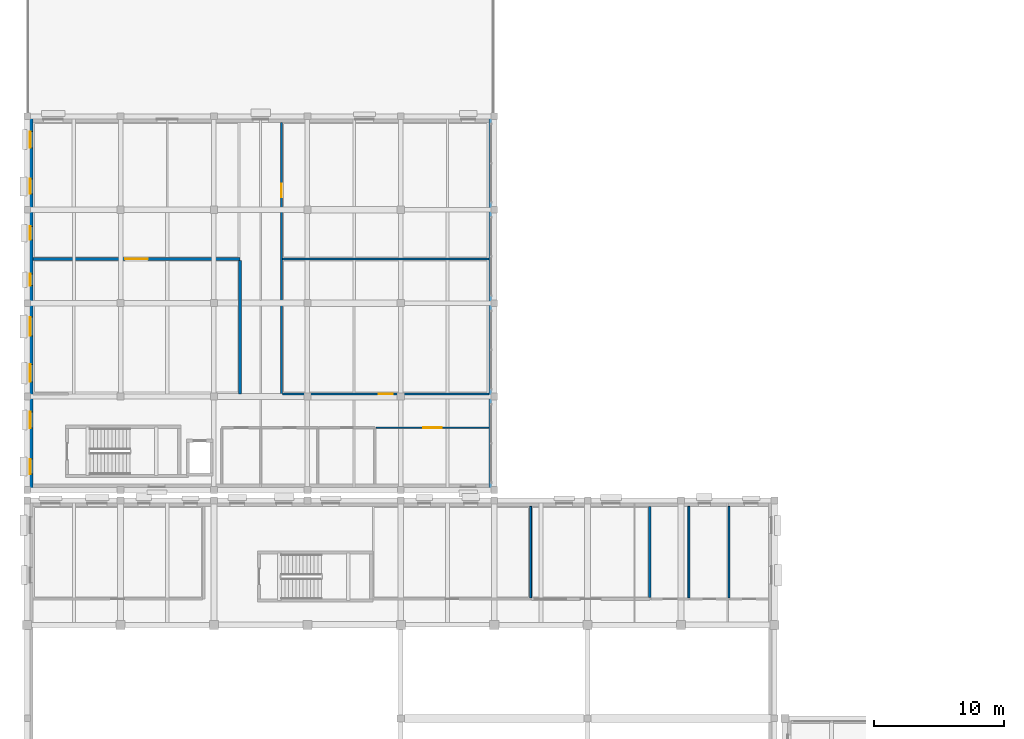
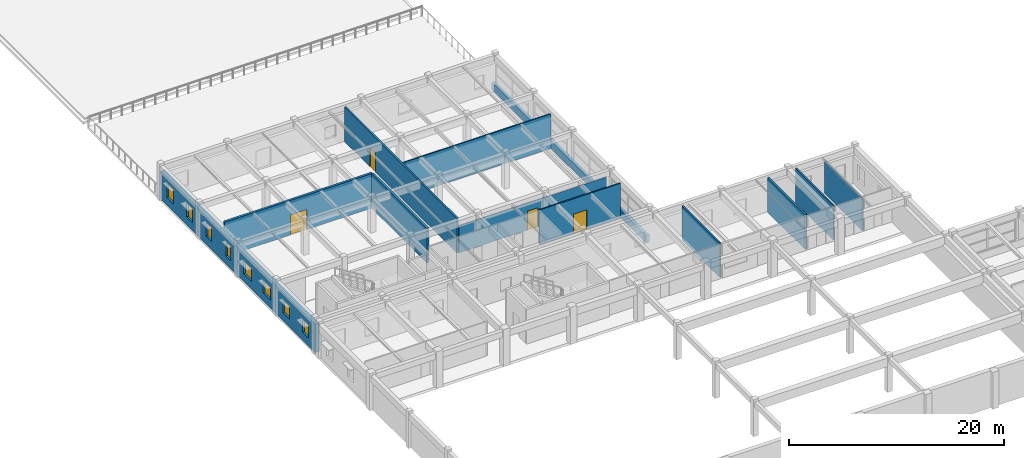
# One storey, part 46 of 67: 12 walls, 8 windows, 4 doors, 12 openings.
"""IFC4 building model written with IfcOpenShell, lengths in metres."""

from ifc_helpers import new_model, si_unit, direction, frame, frame_2d, origin, place, context, subcontext, project, spatial, rectangle, extrude, material, layer, layer_set, type_object, element, fill, save


model = new_model("IFC4")

# Units and contexts
model_context = context("Model", 3, precision=1e-05, world=origin(), true_north=direction((0.0, 1.0)))
body_context = subcontext(model_context, "Body", "Model", "MODEL_VIEW")
ifc_project = project(units=[si_unit("LENGTHUNIT", "METRE"), si_unit("AREAUNIT", "SQUARE_METRE"), si_unit("VOLUMEUNIT", "CUBIC_METRE"), si_unit("PLANEANGLEUNIT", "RADIAN"), si_unit("MASSUNIT", "GRAM", prefix="KILO")], contexts=[model_context])

# Site, building, storey
site_placement = place(None, origin())
site = spatial("IfcSite", under=ifc_project, at=site_placement, CompositionType="ELEMENT")
building_placement = place(site_placement, origin())
building = spatial("IfcBuilding", under=site, at=building_placement, Name="Bramveld Media Centre", CompositionType="ELEMENT")
storey_placement = place(building_placement, frame((0.0, 0.0, 5.39990234375)))
storey = spatial("IfcBuildingStorey", under=building, at=storey_placement, Name="L01", CompositionType="ELEMENT", Elevation=5.39990234375)

# Wall
ifc_material_1 = material(Name="Perforated acoustic brick-faced insulated spandrel wall", Category="masonry")
ifc_layer_1 = layer(ifc_material_1, 0.35009765625)
ifc_layer_set_1 = layer_set([ifc_layer_1], Name="Perforated acoustic brick-faced insulated spandrel wall")
wall_type_1 = type_object("IfcWallType", Name="EW-BRK-350", PredefinedType="SOLIDWALL", material=ifc_layer_set_1)
wall_1_placement = place(storey_placement, frame((35.77001953125, 68.0, 0.0), z_axis=(0.0, 0.0, 1.0), x_axis=(0.0, -1.0, 0.0)))
element("IfcWall", 1, at=wall_1_placement, inside=storey, type_object=wall_type_1, Name="V3 L01 E masonry spandrel sill wall", PredefinedType="SOLIDWALL", context=body_context, shape_type="SweptSolid", body=[
    extrude(rectangle(XDim=28.800048828125, YDim=0.35009765625, at=frame_2d((14.39990234375, 0.0))), origin(), (0.0, 0.0, 1.0), 0.85009765625),
])

# Wall, openings, windows
ifc_material_2 = material(Name="Flemish red-brown clay facing brick cavity wall with concrete C35/45 inner leaf", Category="masonry")
ifc_layer_2 = layer(ifc_material_2, 0.4599609375)
ifc_layer_set_2 = layer_set([ifc_layer_2], Name="Flemish red-brown clay facing brick cavity wall with concrete C35/45 inner leaf")
wall_type_2 = type_object("IfcWallType", Name="EW-BRK-460", PredefinedType="SOLIDWALL", material=ifc_layer_set_2)
wall_2_placement = place(storey_placement, frame((0.22998046875, 39.199951171875, 0.0), z_axis=(0.0, 0.0, 1.0), x_axis=(0.0, 1.0, 0.0)))
wall_2 = element("IfcWall", 2, at=wall_2_placement, inside=storey, type_object=wall_type_2, Name="V3 L01 W facing brick exterior wall", PredefinedType="SOLIDWALL", context=body_context, shape_type="SweptSolid", body=[
    extrude(rectangle(XDim=28.800048828125, YDim=0.4599609375, at=frame_2d((14.39990234375, 0.0))), origin(), (0.0, 0.0, 1.0), 3.195068359375),
])
opening_1_placement = place(wall_2_placement, frame((1.22509765625, 0.0, 0.89990234375)))
opening_1 = element("IfcOpeningElement", 3, at=opening_1_placement, cuts=wall_2, Name="Opening W-09", PredefinedType="OPENING", context=body_context, shape_type="SweptSolid", body=[
    extrude(rectangle(XDim=1.14990234375, YDim=1.449951171875, at=frame_2d((0.574951171875, 0.72509765625))), frame((0.0, 0.241943359375, 0.0), z_axis=(0.0, -1.0, 0.0), x_axis=(1.0, 0.0, 0.0)), (0.0, 0.0, 1.0), 0.48388671875),
])
opening_2_placement = place(wall_2_placement, frame((4.77490234375, 0.0, 0.89990234375)))
opening_2 = element("IfcOpeningElement", 4, at=opening_2_placement, cuts=wall_2, Name="Opening W-10", PredefinedType="OPENING", context=body_context, shape_type="SweptSolid", body=[
    extrude(rectangle(XDim=1.25, YDim=1.449951171875, at=frame_2d((0.625, 0.72509765625))), frame((0.0, 0.241943359375, 0.0), z_axis=(0.0, -1.0, 0.0), x_axis=(1.0, 0.0, 0.0)), (0.0, 0.0, 1.0), 0.48388671875),
])
opening_3_placement = place(wall_2_placement, frame((8.324951171875, 0.0, 0.89990234375)))
opening_3 = element("IfcOpeningElement", 5, at=opening_3_placement, cuts=wall_2, Name="Opening W-11", PredefinedType="OPENING", context=body_context, shape_type="SweptSolid", body=[
    extrude(rectangle(XDim=1.35009765625, YDim=1.449951171875, at=frame_2d((0.675048828125, 0.72509765625))), frame((0.0, 0.241943359375, 0.0), z_axis=(0.0, -1.0, 0.0), x_axis=(1.0, 0.0, 0.0)), (0.0, 0.0, 1.0), 0.48388671875),
])
opening_4_placement = place(wall_2_placement, frame((11.875, 0.0, 0.89990234375)))
opening_4 = element("IfcOpeningElement", 6, at=opening_4_placement, cuts=wall_2, Name="Opening W-12", PredefinedType="OPENING", context=body_context, shape_type="SweptSolid", body=[
    extrude(rectangle(XDim=1.449951171875, YDim=1.449951171875, at=frame_2d((0.72509765625, 0.72509765625))), frame((0.0, 0.241943359375, 0.0), z_axis=(0.0, -1.0, 0.0), x_axis=(1.0, 0.0, 0.0)), (0.0, 0.0, 1.0), 0.48388671875),
])
opening_5_placement = place(wall_2_placement, frame((15.75, 0.0, 0.89990234375)))
opening_5 = element("IfcOpeningElement", 7, at=opening_5_placement, cuts=wall_2, Name="Opening W-13", PredefinedType="OPENING", context=body_context, shape_type="SweptSolid", body=[
    extrude(rectangle(XDim=0.89990234375, YDim=1.60009765625, at=frame_2d((0.449951171875, 0.800048828125))), frame((0.0, 0.241943359375, 0.0), z_axis=(0.0, -1.0, 0.0), x_axis=(1.0, 0.0, 0.0)), (0.0, 0.0, 1.0), 0.48388671875),
])
opening_6_placement = place(wall_2_placement, frame((19.27490234375, 0.0, 0.89990234375)))
opening_6 = element("IfcOpeningElement", 8, at=opening_6_placement, cuts=wall_2, Name="Opening W-14", PredefinedType="OPENING", context=body_context, shape_type="SweptSolid", body=[
    extrude(rectangle(XDim=1.050048828125, YDim=1.60009765625, at=frame_2d((0.52490234375, 0.800048828125))), frame((0.0, 0.241943359375, 0.0), z_axis=(0.0, -1.0, 0.0), x_axis=(1.0, 0.0, 0.0)), (0.0, 0.0, 1.0), 0.48388671875),
])
opening_7_placement = place(wall_2_placement, frame((22.824951171875, 0.0, 0.89990234375)))
opening_7 = element("IfcOpeningElement", 9, at=opening_7_placement, cuts=wall_2, Name="Opening W-15", PredefinedType="OPENING", context=body_context, shape_type="SweptSolid", body=[
    extrude(rectangle(XDim=1.14990234375, YDim=1.60009765625, at=frame_2d((0.574951171875, 0.800048828125))), frame((0.0, 0.241943359375, 0.0), z_axis=(0.0, -1.0, 0.0), x_axis=(1.0, 0.0, 0.0)), (0.0, 0.0, 1.0), 0.48388671875),
])
opening_8_placement = place(wall_2_placement, frame((26.375, 0.0, 0.89990234375)))
opening_8 = element("IfcOpeningElement", 10, at=opening_8_placement, cuts=wall_2, Name="Opening W-16", PredefinedType="OPENING", context=body_context, shape_type="SweptSolid", body=[
    extrude(rectangle(XDim=1.25, YDim=1.60009765625, at=frame_2d((0.625, 0.800048828125))), frame((0.0, 0.241943359375, 0.0), z_axis=(0.0, -1.0, 0.0), x_axis=(1.0, 0.0, 0.0)), (0.0, 0.0, 1.0), 0.48388671875),
])
ifc_material_3 = material(Name="Thermally broken anodized bronze aluminium frame with triple acoustic glazing", Category="aluminium")
window_type_1 = type_object("IfcWindowType", Name="WIN-FAC-09", PartitioningType="SINGLE_PANEL", PredefinedType="WINDOW", material=ifc_material_3)
window_1_placement = place(opening_1_placement, origin())
window_1 = element("IfcWindow", 11, at=window_1_placement, inside=storey, type_object=window_type_1, Name="V3 L01 W acoustic facade window", OverallHeight=1.449951171875, OverallWidth=1.14990234375, PartitioningType="SINGLE_PANEL", PredefinedType="WINDOW", context=body_context, shape_type="SweptSolid", body=[
    extrude(rectangle(XDim=1.14990234375, YDim=1.449951171875, at=frame_2d((0.574951171875, 0.72509765625))), frame((0.0, 0.030029296875, 0.0), z_axis=(0.0, -1.0, 0.0), x_axis=(1.0, 0.0, 0.0)), (0.0, 0.0, 1.0), 0.06005859375),
])
fill(opening_1, window_1)
ifc_material_4 = material(Name="Thermally broken anodized bronze aluminium frame with triple acoustic glazing", Category="aluminium")
window_type_2 = type_object("IfcWindowType", Name="WIN-FAC-10", PartitioningType="SINGLE_PANEL", PredefinedType="WINDOW", material=ifc_material_4)
window_2_placement = place(opening_2_placement, origin())
window_2 = element("IfcWindow", 12, at=window_2_placement, inside=storey, type_object=window_type_2, Name="V3 L01 W acoustic facade window", OverallHeight=1.449951171875, OverallWidth=1.25, PartitioningType="SINGLE_PANEL", PredefinedType="WINDOW", context=body_context, shape_type="SweptSolid", body=[
    extrude(rectangle(XDim=1.25, YDim=1.449951171875, at=frame_2d((0.625, 0.72509765625))), frame((0.0, 0.030029296875, 0.0), z_axis=(0.0, -1.0, 0.0), x_axis=(1.0, 0.0, 0.0)), (0.0, 0.0, 1.0), 0.06005859375),
])
fill(opening_2, window_2)
ifc_material_5 = material(Name="Thermally broken anodized bronze aluminium frame with triple acoustic glazing", Category="aluminium")
window_type_3 = type_object("IfcWindowType", Name="WIN-FAC-11", PartitioningType="SINGLE_PANEL", PredefinedType="WINDOW", material=ifc_material_5)
window_3_placement = place(opening_3_placement, origin())
window_3 = element("IfcWindow", 13, at=window_3_placement, inside=storey, type_object=window_type_3, Name="V3 L01 W acoustic facade window", OverallHeight=1.449951171875, OverallWidth=1.35009765625, PartitioningType="SINGLE_PANEL", PredefinedType="WINDOW", context=body_context, shape_type="SweptSolid", body=[
    extrude(rectangle(XDim=1.35009765625, YDim=1.449951171875, at=frame_2d((0.675048828125, 0.72509765625))), frame((0.0, 0.030029296875, 0.0), z_axis=(0.0, -1.0, 0.0), x_axis=(1.0, 0.0, 0.0)), (0.0, 0.0, 1.0), 0.06005859375),
])
fill(opening_3, window_3)
ifc_material_6 = material(Name="Thermally broken anodized bronze aluminium frame with triple acoustic glazing", Category="aluminium")
window_type_4 = type_object("IfcWindowType", Name="WIN-FAC-12", PartitioningType="SINGLE_PANEL", PredefinedType="WINDOW", material=ifc_material_6)
window_4_placement = place(opening_4_placement, origin())
window_4 = element("IfcWindow", 14, at=window_4_placement, inside=storey, type_object=window_type_4, Name="V3 L01 W acoustic facade window", OverallHeight=1.449951171875, OverallWidth=1.449951171875, PartitioningType="SINGLE_PANEL", PredefinedType="WINDOW", context=body_context, shape_type="SweptSolid", body=[
    extrude(rectangle(XDim=1.449951171875, YDim=1.449951171875, at=frame_2d((0.72509765625, 0.72509765625))), frame((0.0, 0.030029296875, 0.0), z_axis=(0.0, -1.0, 0.0), x_axis=(1.0, 0.0, 0.0)), (0.0, 0.0, 1.0), 0.06005859375),
])
fill(opening_4, window_4)
ifc_material_7 = material(Name="Thermally broken anodized bronze aluminium frame with triple acoustic glazing", Category="aluminium")
window_type_5 = type_object("IfcWindowType", Name="WIN-FAC-13", PartitioningType="SINGLE_PANEL", PredefinedType="WINDOW", material=ifc_material_7)
window_5_placement = place(opening_5_placement, origin())
window_5 = element("IfcWindow", 15, at=window_5_placement, inside=storey, type_object=window_type_5, Name="V3 L01 W acoustic facade window", OverallHeight=1.60009765625, OverallWidth=0.89990234375, PartitioningType="SINGLE_PANEL", PredefinedType="WINDOW", context=body_context, shape_type="SweptSolid", body=[
    extrude(rectangle(XDim=0.89990234375, YDim=1.60009765625, at=frame_2d((0.449951171875, 0.800048828125))), frame((0.0, 0.030029296875, 0.0), z_axis=(0.0, -1.0, 0.0), x_axis=(1.0, 0.0, 0.0)), (0.0, 0.0, 1.0), 0.06005859375),
])
fill(opening_5, window_5)
ifc_material_8 = material(Name="Thermally broken anodized bronze aluminium frame with triple acoustic glazing", Category="aluminium")
window_type_6 = type_object("IfcWindowType", Name="WIN-FAC-14", PartitioningType="SINGLE_PANEL", PredefinedType="WINDOW", material=ifc_material_8)
window_6_placement = place(opening_6_placement, origin())
window_6 = element("IfcWindow", 16, at=window_6_placement, inside=storey, type_object=window_type_6, Name="V3 L01 W acoustic facade window", OverallHeight=1.60009765625, OverallWidth=1.050048828125, PartitioningType="SINGLE_PANEL", PredefinedType="WINDOW", context=body_context, shape_type="SweptSolid", body=[
    extrude(rectangle(XDim=1.050048828125, YDim=1.60009765625, at=frame_2d((0.52490234375, 0.800048828125))), frame((0.0, 0.030029296875, 0.0), z_axis=(0.0, -1.0, 0.0), x_axis=(1.0, 0.0, 0.0)), (0.0, 0.0, 1.0), 0.06005859375),
])
fill(opening_6, window_6)
ifc_material_9 = material(Name="Thermally broken anodized bronze aluminium frame with triple acoustic glazing", Category="aluminium")
window_type_7 = type_object("IfcWindowType", Name="WIN-FAC-15", PartitioningType="SINGLE_PANEL", PredefinedType="WINDOW", material=ifc_material_9)
window_7_placement = place(opening_7_placement, origin())
window_7 = element("IfcWindow", 17, at=window_7_placement, inside=storey, type_object=window_type_7, Name="V3 L01 W acoustic facade window", OverallHeight=1.60009765625, OverallWidth=1.14990234375, PartitioningType="SINGLE_PANEL", PredefinedType="WINDOW", context=body_context, shape_type="SweptSolid", body=[
    extrude(rectangle(XDim=1.14990234375, YDim=1.60009765625, at=frame_2d((0.574951171875, 0.800048828125))), frame((0.0, 0.030029296875, 0.0), z_axis=(0.0, -1.0, 0.0), x_axis=(1.0, 0.0, 0.0)), (0.0, 0.0, 1.0), 0.06005859375),
])
fill(opening_7, window_7)
ifc_material_10 = material(Name="Thermally broken anodized bronze aluminium frame with triple acoustic glazing", Category="aluminium")
window_type_8 = type_object("IfcWindowType", Name="WIN-FAC-16", PartitioningType="SINGLE_PANEL", PredefinedType="WINDOW", material=ifc_material_10)
window_8_placement = place(opening_8_placement, origin())
window_8 = element("IfcWindow", 18, at=window_8_placement, inside=storey, type_object=window_type_8, Name="V3 L01 W acoustic facade window", OverallHeight=1.60009765625, OverallWidth=1.25, PartitioningType="SINGLE_PANEL", PredefinedType="WINDOW", context=body_context, shape_type="SweptSolid", body=[
    extrude(rectangle(XDim=1.25, YDim=1.60009765625, at=frame_2d((0.625, 0.800048828125))), frame((0.0, 0.030029296875, 0.0), z_axis=(0.0, -1.0, 0.0), x_axis=(1.0, 0.0, 0.0)), (0.0, 0.0, 1.0), 0.06005859375),
])
fill(opening_8, window_8)

# Wall
ifc_material_11 = material(Name="Acoustic calcium-silicate & mineral-wool compartment partition", Category="masonry")
ifc_layer_3 = layer(ifc_material_11, 0.199951171875)
ifc_layer_set_3 = layer_set([ifc_layer_3], Name="Acoustic calcium-silicate & mineral-wool compartment partition")
wall_type_3 = type_object("IfcWallType", Name="IW-ACOU-200", PredefinedType="PARTITIONING", material=ifc_layer_set_3)
wall_3_placement = place(storey_placement, frame((48.0, 30.909912109375, 0.0), z_axis=(0.0, 0.0, 1.0), x_axis=(0.0, 1.0, 0.0)))
element("IfcWall", 19, at=wall_3_placement, inside=storey, type_object=wall_type_3, Name="Master Control & Ingest Server Room partition wall", PredefinedType="PARTITIONING", context=body_context, shape_type="SweptSolid", body=[
    extrude(rectangle(XDim=7.02001953125, YDim=0.199951171875, at=frame_2d((3.510009765625, 0.0))), origin(), (0.0, 0.0, 1.0), 3.920166015625),
])

# Wall, opening, door
ifc_material_12 = material(Name="Double-stud acoustic gypsum & mineral-wool studio wall", Category="gypsum")
ifc_layer_4 = layer(ifc_material_12, 0.239990234375)
ifc_layer_set_4 = layer_set([ifc_layer_4], Name="Double-stud acoustic gypsum & mineral-wool studio wall")
wall_type_4 = type_object("IfcWallType", Name="IW-ACOU-240", PredefinedType="PARTITIONING", material=ifc_layer_set_4)
wall_4_placement = place(storey_placement, frame((0.469970703125, 57.0, 0.0), z_axis=(0.0, 0.0, 1.0), x_axis=(1.0, 0.0, 0.0)))
wall_4 = element("IfcWall", 20, at=wall_4_placement, inside=storey, type_object=wall_type_4, Name="Cinema 3 & 4 Projection Gallery partition wall", PredefinedType="PARTITIONING", context=body_context, shape_type="SweptSolid", body=[
    extrude(rectangle(XDim=15.929931640625, YDim=0.239990234375, at=frame_2d((7.96484375, 0.0))), origin(), (0.0, 0.0, 1.0), 3.940185546875),
])
opening_9_placement = place(wall_4_placement, frame((7.0849609375, 0.0, 0.0)))
opening_9 = element("IfcOpeningElement", 21, at=opening_9_placement, cuts=wall_4, Name="Opening D-01-061", PredefinedType="OPENING", context=body_context, shape_type="SweptSolid", body=[
    extrude(rectangle(XDim=1.760009765625, YDim=2.300048828125, at=frame_2d((0.8798828125, 1.14990234375))), frame((0.0, 0.1318359375, 0.0), z_axis=(0.0, -1.0, 0.0), x_axis=(1.0, 0.0, 0.0)), (0.0, 0.0, 1.0), 0.263916015625),
])
ifc_material_13 = material(Name="Fire-rated acoustic timber & steel composite door", Category="steel")
door_type_1 = type_object("IfcDoorType", Name="DR-HALL-1760", OperationType="NOTDEFINED", PredefinedType="DOOR", material=ifc_material_13)
door_1_placement = place(opening_9_placement, origin())
door_1 = element("IfcDoor", 22, at=door_1_placement, inside=storey, type_object=door_type_1, Name="Cinema 3 & 4 Projection Gallery entrance door", OperationType="DOUBLE_DOOR_SINGLE_SWING", OverallHeight=2.300048828125, OverallWidth=1.760009765625, PredefinedType="DOOR", context=body_context, shape_type="SweptSolid", body=[
    extrude(rectangle(XDim=1.760009765625, YDim=2.300048828125, at=frame_2d((0.8798828125, 1.14990234375))), frame((0.0, 0.02490234375, 0.0), z_axis=(0.0, -1.0, 0.0), x_axis=(1.0, 0.0, 0.0)), (0.0, 0.0, 1.0), 0.050048828125),
])
fill(opening_9, door_1)

# Wall
wall_5_placement = place(storey_placement, frame((16.39990234375, 46.60009765625, 0.0), z_axis=(0.0, 0.0, 1.0), x_axis=(0.0, 1.0, 0.0)))
element("IfcWall", 23, at=wall_5_placement, inside=storey, type_object=wall_type_4, Name="Cinema 3 & 4 Projection Gallery partition wall", PredefinedType="PARTITIONING", context=body_context, shape_type="SweptSolid", body=[
    extrude(rectangle(XDim=10.27001953125, YDim=0.239990234375, at=frame_2d((5.135009765625, 0.0))), origin(), (0.0, 0.0, 1.0), 3.940185546875),
])

# Wall, opening, door
ifc_material_14 = material(Name="Fire-rated twin-frame gypsum corridor wall", Category="gypsum")
ifc_layer_5 = layer(ifc_material_14, 0.179931640625)
ifc_layer_set_5 = layer_set([ifc_layer_5], Name="Fire-rated twin-frame gypsum corridor wall")
wall_type_5 = type_object("IfcWallType", Name="IW-FIRE-180", PredefinedType="PARTITIONING", material=ifc_layer_set_5)
wall_6_placement = place(storey_placement, frame((19.60009765625, 46.60009765625, 0.0), z_axis=(0.0, 0.0, 1.0), x_axis=(0.0, 1.0, 0.0)))
wall_6 = element("IfcWall", 24, at=wall_6_placement, inside=storey, type_object=wall_type_5, Name="Park Loggia Access Corridor partition wall", PredefinedType="PARTITIONING", context=body_context, shape_type="SweptSolid", body=[
    extrude(rectangle(XDim=20.929931640625, YDim=0.179931640625, at=frame_2d((10.46484375, 0.0))), origin(), (0.0, 0.0, 1.0), 3.940185546875),
])
opening_10_placement = place(wall_6_placement, frame((15.14501953125, 0.0, 0.0)))
opening_10 = element("IfcOpeningElement", 25, at=opening_10_placement, cuts=wall_6, Name="Opening D-01-063", PredefinedType="OPENING", context=body_context, shape_type="SweptSolid", body=[
    extrude(rectangle(XDim=1.0400390625, YDim=2.14990234375, at=frame_2d((0.52001953125, 1.074951171875))), frame((0.0, 0.10205078125, 0.0), z_axis=(0.0, -1.0, 0.0), x_axis=(1.0, 0.0, 0.0)), (0.0, 0.0, 1.0), 0.203857421875),
])
ifc_material_15 = material(Name="Solid-core European oak acoustic timber leaf in steel frame", Category="steel")
door_type_2 = type_object("IfcDoorType", Name="DR-RM-1040", OperationType="NOTDEFINED", PredefinedType="DOOR", material=ifc_material_15)
door_2_placement = place(opening_10_placement, origin())
door_2 = element("IfcDoor", 26, at=door_2_placement, inside=storey, type_object=door_type_2, Name="Foley Recording Studio B entrance door", OperationType="SINGLE_SWING_LEFT", OverallHeight=2.14990234375, OverallWidth=1.0400390625, PredefinedType="DOOR", context=body_context, shape_type="SweptSolid", body=[
    extrude(rectangle(XDim=1.0400390625, YDim=2.14990234375, at=frame_2d((0.52001953125, 1.074951171875))), frame((0.0, 0.02490234375, 0.0), z_axis=(0.0, -1.0, 0.0), x_axis=(1.0, 0.0, 0.0)), (0.0, 0.0, 1.0), 0.050048828125),
])
fill(opening_10, door_2)

ifc_material_16 = material(Name="Lightweight acoustic stud partition", Category="gypsum")
ifc_layer_6 = layer(ifc_material_16, 0.125)
ifc_layer_set_6 = layer_set([ifc_layer_6], Name="Lightweight acoustic stud partition")
wall_type_6 = type_object("IfcWallType", Name="IW-PART-125", PredefinedType="PARTITIONING", material=ifc_layer_set_6)
wall_7_placement = place(storey_placement, frame((19.699951171875, 46.60009765625, 0.0), z_axis=(0.0, 0.0, 1.0), x_axis=(1.0, 0.0, 0.0)))
wall_7 = element("IfcWall", 27, at=wall_7_placement, inside=storey, type_object=wall_type_6, Name="Sound Restoration Studio A partition wall", PredefinedType="PARTITIONING", context=body_context, shape_type="SweptSolid", body=[
    extrude(rectangle(XDim=15.885009765625, YDim=0.125, at=frame_2d((7.9423828125, 0.0))), origin(), (0.0, 0.0, 1.0), 3.065185546875),
])
opening_11_placement = place(wall_7_placement, frame((7.402587890625, 0.0, 0.0)))
opening_11 = element("IfcOpeningElement", 28, at=opening_11_placement, cuts=wall_7, Name="Opening D-01-062", PredefinedType="OPENING", context=body_context, shape_type="SweptSolid", body=[
    extrude(rectangle(XDim=1.080078125, YDim=2.14990234375, at=frame_2d((0.5400390625, 1.074951171875))), frame((0.0, 0.074462890625, 0.0), z_axis=(0.0, -1.0, 0.0), x_axis=(1.0, 0.0, 0.0)), (0.0, 0.0, 1.0), 0.14892578125),
])
ifc_material_17 = material(Name="Solid-core European oak acoustic timber leaf in steel frame", Category="steel")
door_type_3 = type_object("IfcDoorType", Name="DR-RM-1080", OperationType="NOTDEFINED", PredefinedType="DOOR", material=ifc_material_17)
door_3_placement = place(opening_11_placement, origin())
door_3 = element("IfcDoor", 29, at=door_3_placement, inside=storey, type_object=door_type_3, Name="Sound Restoration Studio A entrance door", OperationType="SINGLE_SWING_RIGHT", OverallHeight=2.14990234375, OverallWidth=1.080078125, PredefinedType="DOOR", context=body_context, shape_type="SweptSolid", body=[
    extrude(rectangle(XDim=1.080078125, YDim=2.14990234375, at=frame_2d((0.5400390625, 1.074951171875))), frame((0.0, 0.02490234375, 0.0), z_axis=(0.0, -1.0, 0.0), x_axis=(1.0, 0.0, 0.0)), (0.0, 0.0, 1.0), 0.050048828125),
])
fill(opening_11, door_3)

# Walls
wall_8_placement = place(storey_placement, frame((19.699951171875, 57.0, 0.0), z_axis=(0.0, 0.0, 1.0), x_axis=(1.0, 0.0, 0.0)))
element("IfcWall", 30, at=wall_8_placement, inside=storey, type_object=wall_type_6, Name="Sound Restoration Studio A partition wall", PredefinedType="PARTITIONING", context=body_context, shape_type="SweptSolid", body=[
    extrude(rectangle(XDim=15.885009765625, YDim=0.125, at=frame_2d((7.9423828125, 0.0))), origin(), (0.0, 0.0, 1.0), 3.940185546875),
])
ifc_material_18 = material(Name="Insulated metal-stud gypsum room partition", Category="gypsum")
ifc_layer_7 = layer(ifc_material_18, 0.14990234375)
ifc_layer_set_7 = layer_set([ifc_layer_7], Name="Insulated metal-stud gypsum room partition")
wall_type_7 = type_object("IfcWallType", Name="IW-PART-150", PredefinedType="PARTITIONING", material=ifc_layer_set_7)
wall_9_placement = place(storey_placement, frame((38.800048828125, 30.885009765625, 0.0), z_axis=(0.0, 0.0, 1.0), x_axis=(0.0, 1.0, 0.0)))
element("IfcWall", 31, at=wall_9_placement, inside=storey, type_object=wall_type_7, Name="Studio 2 Sound Control & Mixing Gallery partition wall", PredefinedType="PARTITIONING", context=body_context, shape_type="SweptSolid", body=[
    extrude(rectangle(XDim=7.044921875, YDim=0.14990234375, at=frame_2d((3.5224609375, 0.0))), origin(), (0.0, 0.0, 1.0), 3.920166015625),
])

# Wall, opening, door
wall_10_placement = place(storey_placement, frame((26.8798828125, 44.0, 0.0), z_axis=(0.0, 0.0, 1.0), x_axis=(1.0, 0.0, 0.0)))
wall_10 = element("IfcWall", 32, at=wall_10_placement, inside=storey, type_object=wall_type_7, Name="Audio Dubbing Rack Room partition wall", PredefinedType="PARTITIONING", context=body_context, shape_type="SweptSolid", body=[
    extrude(rectangle(XDim=8.705078125, YDim=0.14990234375, at=frame_2d((4.3525390625, 0.0))), origin(), (0.0, 0.0, 1.0), 3.940185546875),
])
opening_12_placement = place(wall_10_placement, frame((3.632568359375, 0.0, 0.0)))
opening_12 = element("IfcOpeningElement", 33, at=opening_12_placement, cuts=wall_10, Name="Opening D-01-067", PredefinedType="OPENING", context=body_context, shape_type="SweptSolid", body=[
    extrude(rectangle(XDim=1.43994140625, YDim=2.199951171875, at=frame_2d((0.719970703125, 1.10009765625))), frame((0.0, 0.0869140625, 0.0), z_axis=(0.0, -1.0, 0.0), x_axis=(1.0, 0.0, 0.0)), (0.0, 0.0, 1.0), 0.173828125),
])
ifc_material_19 = material(Name="Fire-rated acoustic timber & steel composite door", Category="steel")
door_type_4 = type_object("IfcDoorType", Name="DR-PLANT-1440", OperationType="NOTDEFINED", PredefinedType="DOOR", material=ifc_material_19)
door_4_placement = place(opening_12_placement, origin())
door_4 = element("IfcDoor", 34, at=door_4_placement, inside=storey, type_object=door_type_4, Name="Audio Dubbing Rack Room entrance door", OperationType="SINGLE_SWING_LEFT", OverallHeight=2.199951171875, OverallWidth=1.43994140625, PredefinedType="DOOR", context=body_context, shape_type="SweptSolid", body=[
    extrude(rectangle(XDim=1.43994140625, YDim=2.199951171875, at=frame_2d((0.719970703125, 1.10009765625))), frame((0.0, 0.02490234375, 0.0), z_axis=(0.0, -1.0, 0.0), x_axis=(1.0, 0.0, 0.0)), (0.0, 0.0, 1.0), 0.050048828125),
])
fill(opening_12, door_4)

# Walls
ifc_material_20 = material(Name="Moisture-resistant cement-board sanitary partition", Category="gypsum")
ifc_layer_8 = layer(ifc_material_20, 0.139892578125)
ifc_layer_set_8 = layer_set([ifc_layer_8], Name="Moisture-resistant cement-board sanitary partition")
wall_type_8 = type_object("IfcWallType", Name="IW-WET-140", PredefinedType="PARTITIONING", material=ifc_layer_set_8)
wall_11_placement = place(storey_placement, frame((51.0, 30.8798828125, 0.0), z_axis=(0.0, 0.0, 1.0), x_axis=(0.0, 1.0, 0.0)))
element("IfcWall", 35, at=wall_11_placement, inside=storey, type_object=wall_type_8, Name="Accessible WC partition wall", PredefinedType="PARTITIONING", context=body_context, shape_type="SweptSolid", body=[
    extrude(rectangle(XDim=7.050048828125, YDim=0.139892578125, at=frame_2d((3.52490234375, 0.0))), origin(), (0.0, 0.0, 1.0), 3.920166015625),
])
wall_12_placement = place(storey_placement, frame((54.10009765625, 30.8798828125, 0.0), z_axis=(0.0, 0.0, 1.0), x_axis=(0.0, 1.0, 0.0)))
element("IfcWall", 36, at=wall_12_placement, inside=storey, type_object=wall_type_8, Name="Male WC partition wall", PredefinedType="PARTITIONING", context=body_context, shape_type="SweptSolid", body=[
    extrude(rectangle(XDim=7.050048828125, YDim=0.139892578125, at=frame_2d((3.52490234375, 0.0))), origin(), (0.0, 0.0, 1.0), 3.675048828125),
])

save(model, "model.ifc")
